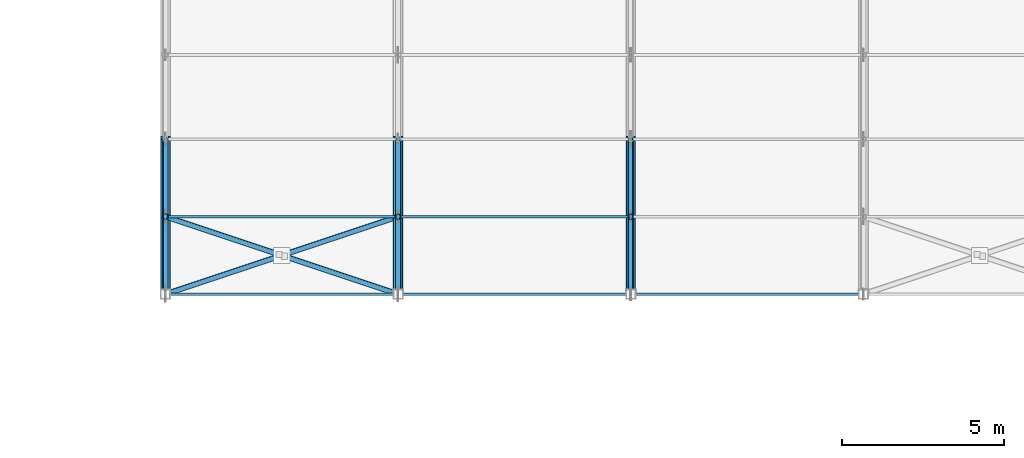
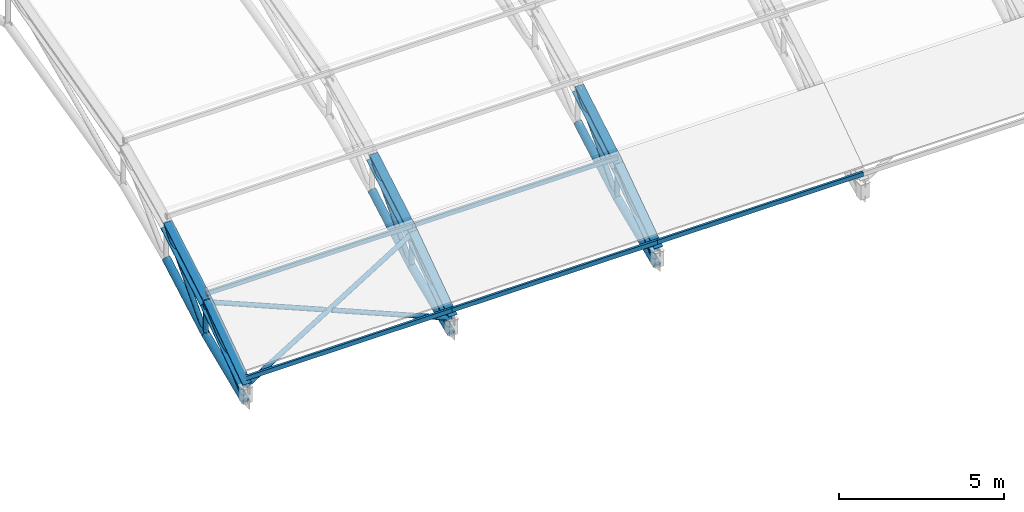
# One storey, part 8 of 63: 23 members, 6 beams.
"""IFC4 building model written with IfcOpenShell, lengths in metres."""

import ifcopenshell
import ifcopenshell.guid

model = None  # the IFC model being written
_history = None  # IfcOwnerHistory: only IFC2X3 demands one
_inside = {}  # id of a spatial element -> (the spatial element, [elements in it])
_under = {}  # id of a project, library or spatial element -> (it, [spatial elements below it])
_declared = {}  # id of a project -> (the project, [libraries it declares])
_typed = {}  # id of a type object -> (the type object, [elements of that type])
_made_of = {}  # id of a material, layer set ... -> (it, [elements and type objects made of it])


def new_model(schema):
    """Start an empty IFC model of exactly this schema.

    Asked for "IFC4X3", IfcOpenShell would pick the latest addendum, in which some entities
    have other attributes; the version numbers below select the first issue.
    IFC2X3 requires an IfcOwnerHistory on every rooted entity: one is made here for all.
    """
    global model, _history
    if schema == "IFC4X3":
        model = ifcopenshell.file(schema_version=(4, 3, 0, 0))
    else:
        model = ifcopenshell.file(schema=schema)
    _inside.clear()
    _under.clear()
    _declared.clear()
    _typed.clear()
    _made_of.clear()
    _history = None
    if model.schema == "IFC2X3":
        org = make("IfcOrganization", Name="unknown")
        user = make(
            "IfcPersonAndOrganization",
            ThePerson=make("IfcPerson", FamilyName="unknown"),
            TheOrganization=org,
        )
        app = make(
            "IfcApplication",
            ApplicationDeveloper=org,
            Version="unknown",
            ApplicationFullName="unknown",
            ApplicationIdentifier="unknown",
        )
        _history = make(
            "IfcOwnerHistory",
            OwningUser=user,
            OwningApplication=app,
            ChangeAction="ADDED",
            CreationDate=0,
        )
    return model


def make(cls, **values):
    """One entity of the class cls with the attributes given. An attribute that is None is left unset."""
    return model.create_entity(
        cls, **{name: value for name, value in values.items() if value is not None}
    )


def rooted(cls, **values):
    """An entity with a GlobalId (a new one), such as an element, a storey or a relation."""
    return make(cls, GlobalId=ifcopenshell.guid.new(), OwnerHistory=_history, **values)


def si_unit(unit_type, name, prefix=None):
    """IfcSIUnit, for example si_unit("LENGTHUNIT", "METRE", prefix="MILLI")."""
    return make("IfcSIUnit", UnitType=unit_type, Prefix=prefix, Name=name)


def assignment(units):
    """IfcUnitAssignment: the units of a project."""
    return None if units is None else make("IfcUnitAssignment", Units=units)


def point(xyz):
    """IfcCartesianPoint."""
    return None if xyz is None else make("IfcCartesianPoint", Coordinates=xyz)


def direction(xyz):
    """IfcDirection."""
    return None if xyz is None else make("IfcDirection", DirectionRatios=xyz)


def frame(location, z_axis=None, x_axis=None):
    """IfcAxis2Placement3D, a coordinate frame: its origin and axes. An axis left out is left unset."""
    return make(
        "IfcAxis2Placement3D",
        Location=point(location),
        Axis=direction(z_axis),
        RefDirection=direction(x_axis),
    )


def frame_2d(location, x_axis=None):
    """IfcAxis2Placement2D, a coordinate frame in the plane: its origin and x axis."""
    return make(
        "IfcAxis2Placement2D", Location=point(location), RefDirection=direction(x_axis)
    )


def origin():
    """The frame at (0, 0, 0) with its axes left unset."""
    return frame((0.0, 0.0, 0.0))


def origin_2d():
    """The frame at (0, 0) in the plane with its x axis left unset."""
    return frame_2d((0.0, 0.0))


def place(relative_to, where):
    """IfcLocalPlacement: puts the frame where relative to a parent placement (None: the world)."""
    return make(
        "IfcLocalPlacement", PlacementRelTo=relative_to, RelativePlacement=where
    )


def context(
    kind, dimensions, precision=None, world=None, true_north=None, identifier=None
):
    """IfcGeometricRepresentationContext, for example the 3D "Model" context."""
    return make(
        "IfcGeometricRepresentationContext",
        ContextIdentifier=identifier,
        ContextType=kind,
        CoordinateSpaceDimension=dimensions,
        Precision=precision,
        WorldCoordinateSystem=world,
        TrueNorth=true_north,
    )


def subcontext(parent, identifier, kind, view, scale=None):
    """IfcGeometricRepresentationSubContext, for example "Body" below "Model"."""
    return make(
        "IfcGeometricRepresentationSubContext",
        ContextIdentifier=identifier,
        ContextType=kind,
        ParentContext=parent,
        TargetScale=scale,
        TargetView=view,
    )


def project(units=None, contexts=None):
    """IfcProject with its units and contexts."""
    return rooted(
        "IfcProject",
        Name="project",
        RepresentationContexts=contexts,
        UnitsInContext=assignment(units),
    )


def spatial(cls, under=None, at=None, **own):
    """A site, building, storey or space (cls), placed at a placement, below another one or the project."""
    s = rooted(cls, ObjectPlacement=at, **own)
    if under is not None:
        _under.setdefault(under.id(), (under, []))[1].append(s)
    return s


def profile(cls, at=None, kind="AREA", **sizes):
    """A parametric profile (cls). Its sizes go by their IFC names, for example OverallWidth=200.0."""
    return make(cls, ProfileType=kind, Position=at, **sizes)


def hollow_rectangle(**sizes):
    """IfcRectangleHollowProfileDef."""
    return profile("IfcRectangleHollowProfileDef", **sizes)


def hollow_circle(**sizes):
    """IfcCircleHollowProfileDef."""
    return profile("IfcCircleHollowProfileDef", **sizes)


def i_section(**sizes):
    """IfcIShapeProfileDef."""
    return profile("IfcIShapeProfileDef", **sizes)


def extrude(swept, where, along, depth):
    """IfcExtrudedAreaSolid: the profile swept, set in the frame where, extruded along a direction by depth."""
    return make(
        "IfcExtrudedAreaSolid",
        SweptArea=swept,
        Position=where,
        ExtrudedDirection=direction(along),
        Depth=depth,
    )


def shape(context_of_items, identifier, shape_type, items):
    """IfcShapeRepresentation: the items that make up one representation, for example the "Body"."""
    return make(
        "IfcShapeRepresentation",
        ContextOfItems=context_of_items,
        RepresentationIdentifier=identifier,
        RepresentationType=shape_type,
        Items=items,
    )


def material(Name=None, Category=None):
    """IfcMaterial."""
    return make("IfcMaterial", Name=Name, Category=Category)


def material_profile(
    of_material, cross_section, Name=None, Category=None, Priority=None
):
    """IfcMaterialProfile: a cross section and its material."""
    return make(
        "IfcMaterialProfile",
        Name=Name,
        Material=of_material,
        Profile=cross_section,
        Priority=Priority,
        Category=Category,
    )


def profile_set(profiles, Name=None, composite=None):
    """IfcMaterialProfileSet."""
    return make(
        "IfcMaterialProfileSet",
        Name=Name,
        MaterialProfiles=profiles,
        CompositeProfile=composite,
    )


def made_of(thing, what):
    """Note that an element or type object is made of a material, layer set ...; save() writes the relation."""
    if what is not None:
        _made_of.setdefault(what.id(), (what, []))[1].append(thing)
    return thing


def type_object(cls, material=None, **own):
    """A type object (cls), such as IfcWallType, which elements share."""
    return made_of(rooted(cls, **own), material)


def element(
    cls,
    number,
    at=None,
    inside=None,
    cuts=None,
    type_object=None,
    material=None,
    context=None,
    identifier="Body",
    shape_type=None,
    held_by="IfcProductDefinitionShape",
    body=None,
    shapes=None,
    **own,
):
    """One element of the class cls, such as IfcWall. Its Tag is "e" and its number.

    at: its placement. inside: the storey or other place that contains it. cuts: it is an
    opening in that element (IfcRelVoidsElement). A single representation is given by context,
    identifier, shape_type and body (its items); several are given by shapes. held_by: the class
    of the entity that holds the representations. save() writes the other relations.
    """
    e = rooted(cls, Tag="e%d" % number, ObjectPlacement=at, **own)
    if body is not None:
        shapes = [shape(context, identifier, shape_type, body)]
    if shapes is not None:
        e.Representation = make(held_by, Representations=shapes)
    if inside is not None:
        _inside.setdefault(inside.id(), (inside, []))[1].append(e)
    if cuts is not None:
        rooted(
            "IfcRelVoidsElement", RelatingBuildingElement=cuts, RelatedOpeningElement=e
        )
    if type_object is not None:
        _typed.setdefault(type_object.id(), (type_object, []))[1].append(e)
    return made_of(e, material)


def aggregate(whole, parts):
    """IfcRelAggregates: a whole, such as a stair, and the parts it consists of."""
    return rooted("IfcRelAggregates", RelatingObject=whole, RelatedObjects=parts)


def save(model, path):
    """Write the relations noted so far, then the file.

    IfcRelAggregates (storeys below a building ...), IfcRelContainedInSpatialStructure (elements
    in a storey), IfcRelDefinesByType, IfcRelAssociatesMaterial and IfcRelDeclares: one each for
    every whole, place, type object, material and project.
    """
    for whole, parts in _under.values():
        aggregate(whole, parts)
    for where, things in _inside.values():
        rooted(
            "IfcRelContainedInSpatialStructure",
            RelatedElements=things,
            RelatingStructure=where,
        )
    for kind, things in _typed.values():
        rooted("IfcRelDefinesByType", RelatedObjects=things, RelatingType=kind)
    for what, things in _made_of.values():
        rooted("IfcRelAssociatesMaterial", RelatedObjects=things, RelatingMaterial=what)
    for by, libraries in _declared.values():
        rooted("IfcRelDeclares", RelatingContext=by, RelatedDefinitions=libraries)
    model.write(path)


model = new_model("IFC4")

# Units and contexts
model_context = context("Model", 3, precision=1e-05, world=origin(), true_north=direction((0.0, 1.0)))
body_context = subcontext(model_context, "Body", "Model", "MODEL_VIEW")
ifc_project = project(units=[si_unit("LENGTHUNIT", "METRE"), si_unit("AREAUNIT", "SQUARE_METRE"), si_unit("VOLUMEUNIT", "CUBIC_METRE"), si_unit("PLANEANGLEUNIT", "RADIAN"), si_unit("MASSUNIT", "GRAM", prefix="KILO")], contexts=[model_context])

# Site, building, storey
site_placement = place(None, origin())
site = spatial("IfcSite", under=ifc_project, at=site_placement, CompositionType="ELEMENT")
building_placement = place(site_placement, origin())
building = spatial("IfcBuilding", under=site, at=building_placement, Name="Solvadek Multi-Sports Hall", CompositionType="ELEMENT")
storey_placement = place(building_placement, frame((0.0, 0.0, 19.199951171875)))
storey = spatial("IfcBuildingStorey", under=building, at=storey_placement, Name="RF", CompositionType="ELEMENT", Elevation=19.199951171875)

# Members
ifc_material_1 = material(Name="Steel E350 (350 MPa)", Category="steel")
ifc_material_profile_1 = material_profile(ifc_material_1, hollow_circle(Radius=0.084228515625, WallThickness=0.008056640625, at=origin_2d()), Name="CHS 168.3x8")
ifc_profile_set_1 = profile_set([ifc_material_profile_1], Name="Steel E350 (350 MPa)")
member_type_1 = type_object("IfcMemberType", Name="STR-BRC-CHS168", PredefinedType="BRACE", material=ifc_profile_set_1)
member_1_placement = place(storey_placement, frame((21.60009765625, 49.199951171875, -4.800048828125), z_axis=(0.0, 0.734794847971, 0.678289415659), x_axis=(-1.0, 0.0, 0.0)))
element("IfcMember", 1, at=member_1_placement, inside=storey, type_object=member_type_1, Name="v4 Truss 1 Web Diagonal 1", PredefinedType="BRACE", context=body_context, shape_type="SweptSolid", body=[
    extrude(hollow_circle(Radius=0.084228515625, WallThickness=0.008056640625, at=origin_2d()), origin(), (0.0, 0.0, 1.0), 3.266357421875),
])
member_2_placement = place(storey_placement, frame((21.60009765625, 51.60009765625, -3.792724609375), z_axis=(0.0, 0.0, 1.0), x_axis=(1.0, 0.0, 0.0)))
element("IfcMember", 2, at=member_2_placement, inside=storey, type_object=member_type_1, Name="v4 Truss 1 Web Vertical 1", PredefinedType="BRACE", context=body_context, shape_type="SweptSolid", body=[
    extrude(hollow_circle(Radius=0.084228515625, WallThickness=0.008056640625, at=origin_2d()), origin(), (0.0, 0.0, 1.0), 1.208251953125),
])
member_3_placement = place(storey_placement, frame((21.60009765625, 51.60009765625, -3.792724609375), z_axis=(0.0, 0.675780661661, 0.737102772566), x_axis=(-1.0, 0.0, 0.0)))
element("IfcMember", 3, at=member_3_placement, inside=storey, type_object=member_type_1, Name="v4 Truss 1 Web Diagonal 2", PredefinedType="BRACE", context=body_context, shape_type="SweptSolid", body=[
    extrude(hollow_circle(Radius=0.084228515625, WallThickness=0.008056640625, at=origin_2d()), origin(), (0.0, 0.0, 1.0), 3.55126953125),
])
member_4_placement = place(storey_placement, frame((28.800048828125, 49.199951171875, -4.800048828125), z_axis=(0.0, 0.734794847971, 0.678289415659), x_axis=(-1.0, 0.0, 0.0)))
element("IfcMember", 4, at=member_4_placement, inside=storey, type_object=member_type_1, Name="v4 Truss 2 Web Diagonal 1", PredefinedType="BRACE", context=body_context, shape_type="SweptSolid", body=[
    extrude(hollow_circle(Radius=0.084228515625, WallThickness=0.008056640625, at=origin_2d()), origin(), (0.0, 0.0, 1.0), 3.266357421875),
])
member_5_placement = place(storey_placement, frame((28.800048828125, 51.60009765625, -3.792724609375), z_axis=(0.0, 0.0, 1.0), x_axis=(1.0, 0.0, 0.0)))
element("IfcMember", 5, at=member_5_placement, inside=storey, type_object=member_type_1, Name="v4 Truss 2 Web Vertical 1", PredefinedType="BRACE", context=body_context, shape_type="SweptSolid", body=[
    extrude(hollow_circle(Radius=0.084228515625, WallThickness=0.008056640625, at=origin_2d()), origin(), (0.0, 0.0, 1.0), 1.208251953125),
])
member_6_placement = place(storey_placement, frame((28.800048828125, 51.60009765625, -3.792724609375), z_axis=(0.0, 0.675780661661, 0.737102772566), x_axis=(-1.0, 0.0, 0.0)))
element("IfcMember", 6, at=member_6_placement, inside=storey, type_object=member_type_1, Name="v4 Truss 2 Web Diagonal 2", PredefinedType="BRACE", context=body_context, shape_type="SweptSolid", body=[
    extrude(hollow_circle(Radius=0.084228515625, WallThickness=0.008056640625, at=origin_2d()), origin(), (0.0, 0.0, 1.0), 3.55126953125),
])
member_7_placement = place(storey_placement, frame((36.0, 49.199951171875, -4.800048828125), z_axis=(0.0, 0.734794847971, 0.678289415659), x_axis=(-1.0, 0.0, 0.0)))
element("IfcMember", 7, at=member_7_placement, inside=storey, type_object=member_type_1, Name="v4 Truss 3 Web Diagonal 1", PredefinedType="BRACE", context=body_context, shape_type="SweptSolid", body=[
    extrude(hollow_circle(Radius=0.084228515625, WallThickness=0.008056640625, at=origin_2d()), origin(), (0.0, 0.0, 1.0), 3.266357421875),
])
member_8_placement = place(storey_placement, frame((36.0, 51.60009765625, -3.792724609375), z_axis=(0.0, 0.0, 1.0), x_axis=(1.0, 0.0, 0.0)))
element("IfcMember", 8, at=member_8_placement, inside=storey, type_object=member_type_1, Name="v4 Truss 3 Web Vertical 1", PredefinedType="BRACE", context=body_context, shape_type="SweptSolid", body=[
    extrude(hollow_circle(Radius=0.084228515625, WallThickness=0.008056640625, at=origin_2d()), origin(), (0.0, 0.0, 1.0), 1.208251953125),
])
member_9_placement = place(storey_placement, frame((36.0, 51.60009765625, -3.792724609375), z_axis=(0.0, 0.675780661661, 0.737102772566), x_axis=(-1.0, 0.0, 0.0)))
element("IfcMember", 9, at=member_9_placement, inside=storey, type_object=member_type_1, Name="v4 Truss 3 Web Diagonal 2", PredefinedType="BRACE", context=body_context, shape_type="SweptSolid", body=[
    extrude(hollow_circle(Radius=0.084228515625, WallThickness=0.008056640625, at=origin_2d()), origin(), (0.0, 0.0, 1.0), 3.55126953125),
])
member_10_placement = place(storey_placement, frame((21.60009765625, 49.199951171875, -4.25), z_axis=(0.926626343955, 0.308896395084, 0.214351663845), x_axis=(-0.316247066962, 0.948676864184, 0.0)))
element("IfcMember", 10, at=member_10_placement, inside=storey, type_object=member_type_1, Name="V4 Roof Plan Brace #13", PredefinedType="BRACE", context=body_context, shape_type="SweptSolid", body=[
    extrude(hollow_circle(Radius=0.084228515625, WallThickness=0.008056640625, at=origin_2d()), origin(), (0.0, 0.0, 1.0), 7.77001953125),
])
for number, where, z_axis, x_axis, name in (
    (11, (21.60009765625, 51.60009765625, -2.58447265625), (0.926628141371, -0.308897502809, -0.214342297219), (0.316247535538, 0.948676707981, 0.0), "V4 Roof Plan Half-Brace #14A"),
    (12, (25.285400390625, 50.37158203125, -3.436767578125), (0.926615355415, -0.308893240528, -0.214403705813), (0.316247535538, 0.948676707981, 0.0), "V4 Roof Plan Half-Brace #14B"),
):
    element("IfcMember", number, at=place(storey_placement, frame(where, z_axis=z_axis, x_axis=x_axis)), inside=storey, type_object=member_type_1, Name=name, PredefinedType="BRACE", context=body_context, shape_type="SweptSolid", body=[
        extrude(hollow_circle(Radius=0.084228515625, WallThickness=0.008056640625, at=origin_2d()), origin(), (0.0, 0.0, 1.0), 3.79296875),
    ])
ifc_material_profile_2 = material_profile(ifc_material_1, hollow_circle(Radius=0.136474609375, WallThickness=0.011962890625, at=origin_2d()), Name="CHS 273.0x12")
ifc_profile_set_2 = profile_set([ifc_material_profile_2], Name="Steel E350 (350 MPa)")
member_type_2 = type_object("IfcMemberType", Name="STR-CHD-CHS273", PredefinedType="CHORD", material=ifc_profile_set_2)
member_11_placement = place(storey_placement, frame((21.60009765625, 49.199951171875, -4.800048828125), z_axis=(0.0, 0.922083202682, 0.38699168897), x_axis=(-1.0, 0.0, 0.0)))
element("IfcMember", 13, at=member_11_placement, inside=storey, type_object=member_type_2, Name="v4 Arched Truss 1 Bottom Chord 1", PredefinedType="CHORD", context=body_context, shape_type="SweptSolid", body=[
    extrude(hollow_circle(Radius=0.136474609375, WallThickness=0.011962890625, at=origin_2d()), origin(), (0.0, 0.0, 1.0), 2.60302734375),
])
member_12_placement = place(storey_placement, frame((21.60009765625, 51.60009765625, -3.792724609375), z_axis=(0.0, 0.871400291801, 0.490572656646), x_axis=(-1.0, 0.0, 0.0)))
element("IfcMember", 14, at=member_12_placement, inside=storey, type_object=member_type_2, Name="v4 Arched Truss 1 Bottom Chord 2", PredefinedType="CHORD", context=body_context, shape_type="SweptSolid", body=[
    extrude(hollow_circle(Radius=0.136474609375, WallThickness=0.011962890625, at=origin_2d()), origin(), (0.0, 0.0, 1.0), 2.754150390625),
])
member_13_placement = place(storey_placement, frame((28.800048828125, 49.199951171875, -4.800048828125), z_axis=(0.0, 0.922083202682, 0.38699168897), x_axis=(-1.0, 0.0, 0.0)))
element("IfcMember", 15, at=member_13_placement, inside=storey, type_object=member_type_2, Name="v4 Arched Truss 2 Bottom Chord 1", PredefinedType="CHORD", context=body_context, shape_type="SweptSolid", body=[
    extrude(hollow_circle(Radius=0.136474609375, WallThickness=0.011962890625, at=origin_2d()), origin(), (0.0, 0.0, 1.0), 2.60302734375),
])
member_14_placement = place(storey_placement, frame((28.800048828125, 51.60009765625, -3.792724609375), z_axis=(0.0, 0.871400291801, 0.490572656646), x_axis=(-1.0, 0.0, 0.0)))
element("IfcMember", 16, at=member_14_placement, inside=storey, type_object=member_type_2, Name="v4 Arched Truss 2 Bottom Chord 2", PredefinedType="CHORD", context=body_context, shape_type="SweptSolid", body=[
    extrude(hollow_circle(Radius=0.136474609375, WallThickness=0.011962890625, at=origin_2d()), origin(), (0.0, 0.0, 1.0), 2.754150390625),
])
member_15_placement = place(storey_placement, frame((36.0, 49.199951171875, -4.800048828125), z_axis=(0.0, 0.922083202682, 0.38699168897), x_axis=(-1.0, 0.0, 0.0)))
element("IfcMember", 17, at=member_15_placement, inside=storey, type_object=member_type_2, Name="v4 Arched Truss 3 Bottom Chord 1", PredefinedType="CHORD", context=body_context, shape_type="SweptSolid", body=[
    extrude(hollow_circle(Radius=0.136474609375, WallThickness=0.011962890625, at=origin_2d()), origin(), (0.0, 0.0, 1.0), 2.60302734375),
])
member_16_placement = place(storey_placement, frame((36.0, 51.60009765625, -3.792724609375), z_axis=(0.0, 0.871400291801, 0.490572656646), x_axis=(-1.0, 0.0, 0.0)))
element("IfcMember", 18, at=member_16_placement, inside=storey, type_object=member_type_2, Name="v4 Arched Truss 3 Bottom Chord 2", PredefinedType="CHORD", context=body_context, shape_type="SweptSolid", body=[
    extrude(hollow_circle(Radius=0.136474609375, WallThickness=0.011962890625, at=origin_2d()), origin(), (0.0, 0.0, 1.0), 2.754150390625),
])
ifc_material_2 = material(Name="Steel E250 (250 MPa)", Category="steel")
ifc_material_profile_3 = material_profile(ifc_material_2, hollow_rectangle(XDim=0.080078125, YDim=0.159912109375, WallThickness=0.006103515625, at=origin_2d()), Name="RHS 160x80x6")
ifc_profile_set_3 = profile_set([ifc_material_profile_3], Name="Steel E250 (250 MPa)")
member_type_3 = type_object("IfcMemberType", Name="STR-PUR-RHS160", PredefinedType="PURLIN", material=ifc_profile_set_3)
for number, where, z_axis, x_axis, name in (
    (19, (21.60009765625, 49.199951171875, -3.94677734375), (1.0, 0.0, 0.0), (0.0, 1.0, 0.0), "V4 Roof Purlin #64"),
    (20, (21.60009765625, 51.60009765625, -2.28125), (1.0, 0.0, 0.0), (0.0, 1.0, 0.0), "V4 Roof Purlin #65"),
    (21, (28.800048828125, 49.199951171875, -3.94677734375), (1.0, 0.0, 0.0), (0.0, 1.0, 0.0), "V4 Roof Purlin #73"),
    (22, (28.800048828125, 51.60009765625, -2.28125), (1.0, 0.0, 0.0), (0.0, 1.0, 0.0), "V4 Roof Purlin #74"),
    (23, (36.0, 49.199951171875, -3.94677734375), (1.0, 0.0, 0.0), (0.0, 1.0, 0.0), "V4 Roof Purlin #82"),
):
    element("IfcMember", number, at=place(storey_placement, frame(where, z_axis=z_axis, x_axis=x_axis)), inside=storey, type_object=member_type_3, Name=name, PredefinedType="PURLIN", context=body_context, shape_type="SweptSolid", body=[
        extrude(hollow_rectangle(XDim=0.080078125, YDim=0.159912109375, WallThickness=0.006103515625, at=origin_2d()), origin(), (0.0, 0.0, 1.0), 7.199951171875),
    ])

# Beams
ifc_material_profile_4 = material_profile(ifc_material_1, i_section(OverallWidth=0.300048828125, OverallDepth=0.360107421875, WebThickness=0.012451171875, FlangeThickness=0.0224609375, at=origin_2d()), Name="WPB 360")
ifc_profile_set_4 = profile_set([ifc_material_profile_4], Name="Steel E350 (350 MPa)")
beam_type = type_object("IfcBeamType", Name="STR-TRS-WPB360", PredefinedType="USERDEFINED", material=ifc_profile_set_4)
beam_1_placement = place(storey_placement, frame((21.60009765625, 49.199951171875, -4.25), z_axis=(0.0, 0.821568941781, 0.570109177177), x_axis=(-1.0, 0.0, 0.0)))
element("IfcBeam", 24, at=beam_1_placement, inside=storey, type_object=beam_type, Name="v4 Arched Truss 1 Top Chord 1", ObjectType="ROOF TRUSS", PredefinedType="USERDEFINED", context=body_context, shape_type="SweptSolid", body=[
    extrude(i_section(OverallWidth=0.300048828125, OverallDepth=0.360107421875, WebThickness=0.012451171875, FlangeThickness=0.0224609375, at=origin_2d()), origin(), (0.0, 0.0, 1.0), 2.92138671875),
])
beam_2_placement = place(storey_placement, frame((21.60009765625, 51.60009765625, -2.58447265625), z_axis=(0.0, 0.862292548737, 0.506410466313), x_axis=(-1.0, 0.0, 0.0)))
element("IfcBeam", 25, at=beam_2_placement, inside=storey, type_object=beam_type, Name="v4 Arched Truss 1 Top Chord 2", ObjectType="ROOF TRUSS", PredefinedType="USERDEFINED", context=body_context, shape_type="SweptSolid", body=[
    extrude(i_section(OverallWidth=0.300048828125, OverallDepth=0.360107421875, WebThickness=0.012451171875, FlangeThickness=0.0224609375, at=origin_2d()), origin(), (0.0, 0.0, 1.0), 2.783203125),
])
beam_3_placement = place(storey_placement, frame((28.800048828125, 49.199951171875, -4.25), z_axis=(0.0, 0.821568941781, 0.570109177177), x_axis=(-1.0, 0.0, 0.0)))
element("IfcBeam", 26, at=beam_3_placement, inside=storey, type_object=beam_type, Name="v4 Arched Truss 2 Top Chord 1", ObjectType="ROOF TRUSS", PredefinedType="USERDEFINED", context=body_context, shape_type="SweptSolid", body=[
    extrude(i_section(OverallWidth=0.300048828125, OverallDepth=0.360107421875, WebThickness=0.012451171875, FlangeThickness=0.0224609375, at=origin_2d()), origin(), (0.0, 0.0, 1.0), 2.92138671875),
])
beam_4_placement = place(storey_placement, frame((28.800048828125, 51.60009765625, -2.58447265625), z_axis=(0.0, 0.862292548737, 0.506410466313), x_axis=(-1.0, 0.0, 0.0)))
element("IfcBeam", 27, at=beam_4_placement, inside=storey, type_object=beam_type, Name="v4 Arched Truss 2 Top Chord 2", ObjectType="ROOF TRUSS", PredefinedType="USERDEFINED", context=body_context, shape_type="SweptSolid", body=[
    extrude(i_section(OverallWidth=0.300048828125, OverallDepth=0.360107421875, WebThickness=0.012451171875, FlangeThickness=0.0224609375, at=origin_2d()), origin(), (0.0, 0.0, 1.0), 2.783203125),
])
beam_5_placement = place(storey_placement, frame((36.0, 49.199951171875, -4.25), z_axis=(0.0, 0.821568941781, 0.570109177177), x_axis=(-1.0, 0.0, 0.0)))
element("IfcBeam", 28, at=beam_5_placement, inside=storey, type_object=beam_type, Name="v4 Arched Truss 3 Top Chord 1", ObjectType="ROOF TRUSS", PredefinedType="USERDEFINED", context=body_context, shape_type="SweptSolid", body=[
    extrude(i_section(OverallWidth=0.300048828125, OverallDepth=0.360107421875, WebThickness=0.012451171875, FlangeThickness=0.0224609375, at=origin_2d()), origin(), (0.0, 0.0, 1.0), 2.92138671875),
])
beam_6_placement = place(storey_placement, frame((36.0, 51.60009765625, -2.58447265625), z_axis=(0.0, 0.862292548737, 0.506410466313), x_axis=(-1.0, 0.0, 0.0)))
element("IfcBeam", 29, at=beam_6_placement, inside=storey, type_object=beam_type, Name="v4 Arched Truss 3 Top Chord 2", ObjectType="ROOF TRUSS", PredefinedType="USERDEFINED", context=body_context, shape_type="SweptSolid", body=[
    extrude(i_section(OverallWidth=0.300048828125, OverallDepth=0.360107421875, WebThickness=0.012451171875, FlangeThickness=0.0224609375, at=origin_2d()), origin(), (0.0, 0.0, 1.0), 2.783203125),
])

save(model, "model.ifc")
